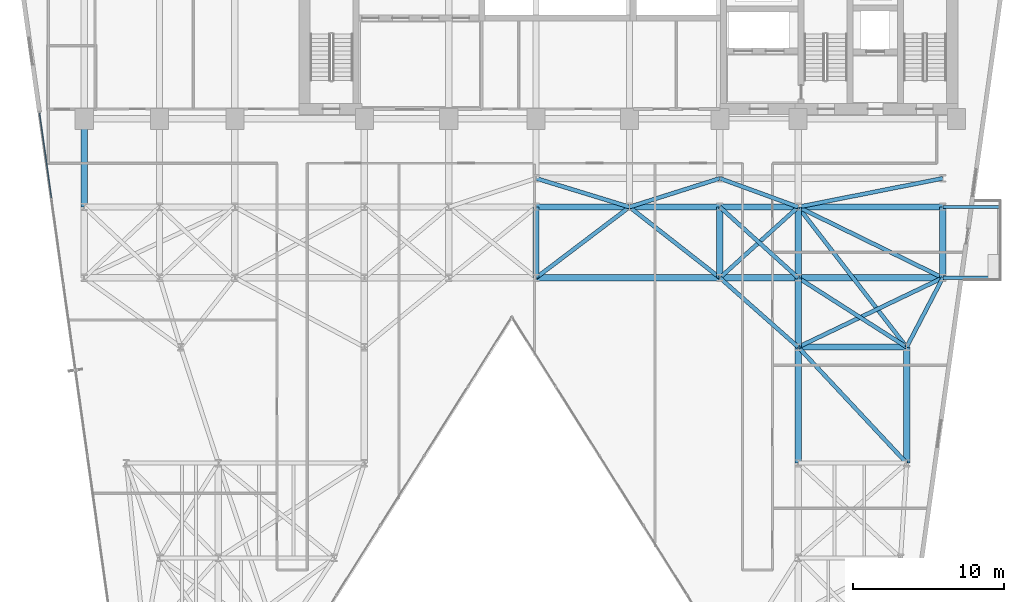
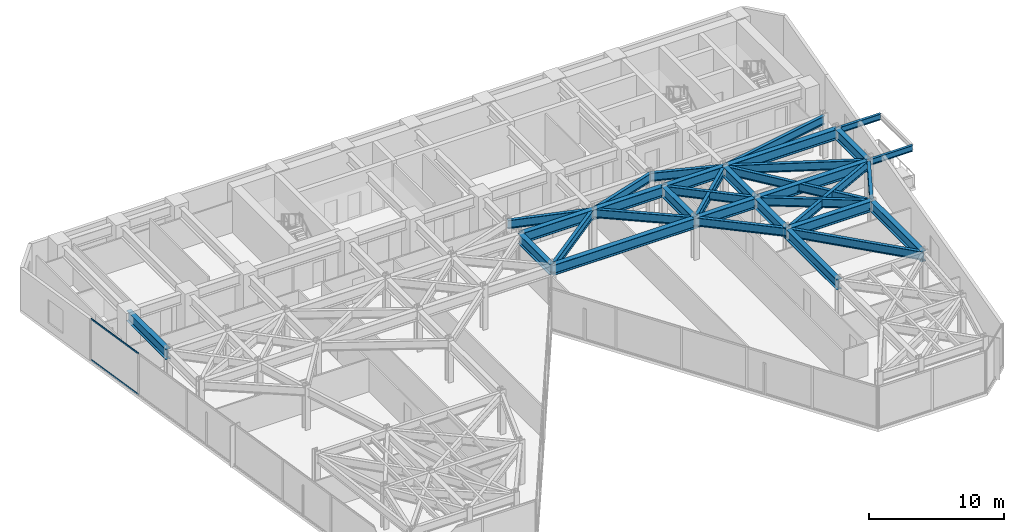
# One storey, part 16 of 25: 33 beams, 2 members, 1 element without a shape of its own.
"""IFC4 building model written with IfcOpenShell, lengths in metres."""

from ifc_helpers import new_model, si_unit, direction, frame, origin, origin_2d, place, context, subcontext, project, spatial, hollow_rectangle, i_section, extrude, material, layer, layer_set, material_profile, profile_set, type_object, element, aggregate, save


model = new_model("IFC4")

# Units and contexts
model_context = context("Model", 3, precision=1e-05, world=origin(), true_north=direction((0.0, 1.0)))
body_context = subcontext(model_context, "Body", "Model", "MODEL_VIEW")
ifc_project = project(units=[si_unit("LENGTHUNIT", "METRE"), si_unit("AREAUNIT", "SQUARE_METRE"), si_unit("VOLUMEUNIT", "CUBIC_METRE"), si_unit("PLANEANGLEUNIT", "RADIAN"), si_unit("MASSUNIT", "GRAM", prefix="KILO")], contexts=[model_context])

# Site, building, storey
site_placement = place(None, origin())
site = spatial("IfcSite", under=ifc_project, at=site_placement, CompositionType="ELEMENT")
building_placement = place(site_placement, origin())
building = spatial("IfcBuilding", under=site, at=building_placement, Name="Kravanh Interchange Tower", CompositionType="ELEMENT")
storey_placement = place(building_placement, frame((0.0, 0.0, 73.5)))
storey = spatial("IfcBuildingStorey", under=building, at=storey_placement, Name="L17", CompositionType="ELEMENT", Elevation=73.5)

# Curtain wall, members
ifc_material_1 = material(Name="Anodised Bronze Aluminium", Category="aluminium")
ifc_layer = layer(ifc_material_1, 0.179931640625)
ifc_layer_set = layer_set([ifc_layer], Name="Unitised Curtain Wall System CW-Z1 Lower Office")
curtain_wall_type = type_object("IfcCurtainWallType", Name="Unitised Curtain Wall System CW-Z1 Lower Office", PredefinedType="NOTDEFINED", material=ifc_layer_set)
curtain_wall_placement = place(storey_placement, origin())
curtain_wall = element("IfcCurtainWall", 1, at=curtain_wall_placement, inside=storey, type_object=curtain_wall_type, Name="L17 Unitised Curtain Wall CW-L17-01", PredefinedType="NOTDEFINED")
ifc_material_2 = material(Name="Anodised Bronze Aluminium", Category="aluminium")
ifc_material_profile_1 = material_profile(ifc_material_2, hollow_rectangle(XDim=0.06005859375, YDim=0.139892578125, WallThickness=0.00390625, at=origin_2d()), Name="ALU60X140X4")
ifc_profile_set_1 = profile_set([ifc_material_profile_1], Name="Anodised Bronze Aluminium")
member_type = type_object("IfcMemberType", Name="Curtain Wall Transom ALU60X140X4 Bronze", PredefinedType="USERDEFINED", material=ifc_profile_set_1)
member_1_placement = place(storey_placement, frame((6.422607421875, 32.1240234375, 0.030029296875), z_axis=(-0.139193386559, 0.990265217575, 0.0), x_axis=(-0.990265217575, -0.139193386559, 0.0)))
member_1 = element("IfcMember", 2, at=member_1_placement, type_object=member_type, Name="CW-Z1 transom 6.1", ObjectType="TRANSOM", PredefinedType="USERDEFINED", context=body_context, shape_type="SweptSolid", body=[
    extrude(hollow_rectangle(XDim=0.06005859375, YDim=0.139892578125, WallThickness=0.00390625, at=origin_2d()), origin(), (0.0, 0.0, 1.0), 5.661865234375),
])
member_2_placement = place(storey_placement, frame((6.422607421875, 32.1240234375, 3.7099609375), z_axis=(-0.139193386559, 0.990265217575, 0.0), x_axis=(-0.990265217575, -0.139193386559, 0.0)))
member_2 = element("IfcMember", 3, at=member_2_placement, type_object=member_type, Name="CW-Z1 transom 6.2", ObjectType="TRANSOM", PredefinedType="USERDEFINED", context=body_context, shape_type="SweptSolid", body=[
    extrude(hollow_rectangle(XDim=0.06005859375, YDim=0.139892578125, WallThickness=0.00390625, at=origin_2d()), origin(), (0.0, 0.0, 1.0), 5.661865234375),
])
aggregate(curtain_wall, [member_1, member_2])

# Beams
ifc_material_3 = material(Name="Structural Steel S355", Category="steel")
ifc_material_profile_2 = material_profile(ifc_material_3, i_section(OverallWidth=0.41796875, OverallDepth=0.927001953125, WebThickness=0.019287109375, FlangeThickness=0.031982421875, FilletRadius=0.028076171875, at=origin_2d()), Name="W36X231")
ifc_profile_set_2 = profile_set([ifc_material_profile_2], Name="Structural Steel S355")
beam_type_1 = type_object("IfcBeamType", Name="Floor Beam W36X231 Structural Steel S355", PredefinedType="BEAM", material=ifc_profile_set_2)
beam_1_placement = place(storey_placement, frame((8.60009765625, 37.35009765625, 3.276611328125), z_axis=(0.0, -1.0, 0.0), x_axis=(1.0, 0.0, 0.0)))
element("IfcBeam", 4, at=beam_1_placement, inside=storey, type_object=beam_type_1, Name="L17 Primary Floor Girder 36", PredefinedType="BEAM", context=body_context, shape_type="SweptSolid", body=[
    extrude(i_section(OverallWidth=0.41796875, OverallDepth=0.927001953125, WebThickness=0.019287109375, FlangeThickness=0.031982421875, FilletRadius=0.028076171875, at=origin_2d()), origin(), (0.0, 0.0, 1.0), 5.85009765625),
])
for number, where, z_axis, x_axis, name in (
    (5, (56.0, 14.5, 3.276611328125), (0.0, 1.0, 0.0), (-1.0, 0.0, 0.0), "L17 Primary Floor Girder 44"),
    (6, (63.199951171875, 14.5, 3.276611328125), (0.0, 1.0, 0.0), (-1.0, 0.0, 0.0), "L17 Primary Floor Girder 47"),
):
    element("IfcBeam", number, at=place(storey_placement, frame(where, z_axis=z_axis, x_axis=x_axis)), inside=storey, type_object=beam_type_1, Name=name, PredefinedType="BEAM", context=body_context, shape_type="SweptSolid", body=[
        extrude(i_section(OverallWidth=0.41796875, OverallDepth=0.927001953125, WebThickness=0.019287109375, FlangeThickness=0.031982421875, FilletRadius=0.028076171875, at=origin_2d()), origin(), (0.0, 0.0, 1.0), 7.699951171875),
    ])
beam_2_placement = place(storey_placement, frame((56.0, 22.199951171875, 3.276611328125), z_axis=(0.0, 1.0, 0.0), x_axis=(-1.0, 0.0, 0.0)))
element("IfcBeam", 7, at=beam_2_placement, inside=storey, type_object=beam_type_1, Name="L17 Primary Floor Girder 58", PredefinedType="BEAM", context=body_context, shape_type="SweptSolid", body=[
    extrude(i_section(OverallWidth=0.41796875, OverallDepth=0.927001953125, WebThickness=0.019287109375, FlangeThickness=0.031982421875, FilletRadius=0.028076171875, at=origin_2d()), origin(), (0.0, 0.0, 1.0), 4.60009765625),
])
beam_3_placement = place(storey_placement, frame((56.0, 22.199951171875, 3.276611328125), z_axis=(1.0, 0.0, 0.0), x_axis=(0.0, 1.0, 0.0)))
element("IfcBeam", 8, at=beam_3_placement, inside=storey, type_object=beam_type_1, Name="L17 Primary Floor Girder 60", PredefinedType="BEAM", context=body_context, shape_type="SweptSolid", body=[
    extrude(i_section(OverallWidth=0.41796875, OverallDepth=0.927001953125, WebThickness=0.019287109375, FlangeThickness=0.031982421875, FilletRadius=0.028076171875, at=origin_2d()), origin(), (0.0, 0.0, 1.0), 7.199951171875),
])
beam_4_placement = place(storey_placement, frame((38.60009765625, 26.800048828125, 3.276611328125), z_axis=(0.0, 1.0, 0.0), x_axis=(-1.0, 0.0, 0.0)))
element("IfcBeam", 9, at=beam_4_placement, inside=storey, type_object=beam_type_1, Name="L17 Primary Floor Girder 86", PredefinedType="BEAM", context=body_context, shape_type="SweptSolid", body=[
    extrude(i_section(OverallWidth=0.41796875, OverallDepth=0.927001953125, WebThickness=0.019287109375, FlangeThickness=0.031982421875, FilletRadius=0.028076171875, at=origin_2d()), origin(), (0.0, 0.0, 1.0), 4.699951171875),
])
beam_5_placement = place(storey_placement, frame((38.60009765625, 26.800048828125, 3.276611328125), z_axis=(1.0, 0.0, 0.0), x_axis=(0.0, 1.0, 0.0)))
element("IfcBeam", 10, at=beam_5_placement, inside=storey, type_object=beam_type_1, Name="L17 Primary Floor Girder 89", PredefinedType="BEAM", context=body_context, shape_type="SweptSolid", body=[
    extrude(i_section(OverallWidth=0.41796875, OverallDepth=0.927001953125, WebThickness=0.019287109375, FlangeThickness=0.031982421875, FilletRadius=0.028076171875, at=origin_2d()), origin(), (0.0, 0.0, 1.0), 12.199951171875),
])
beam_6_placement = place(storey_placement, frame((50.800048828125, 26.800048828125, 3.276611328125), z_axis=(0.0, 1.0, 0.0), x_axis=(-1.0, 0.0, 0.0)))
element("IfcBeam", 11, at=beam_6_placement, inside=storey, type_object=beam_type_1, Name="L17 Primary Floor Girder 90", PredefinedType="BEAM", context=body_context, shape_type="SweptSolid", body=[
    extrude(i_section(OverallWidth=0.41796875, OverallDepth=0.927001953125, WebThickness=0.019287109375, FlangeThickness=0.031982421875, FilletRadius=0.028076171875, at=origin_2d()), origin(), (0.0, 0.0, 1.0), 4.699951171875),
])
beam_7_placement = place(storey_placement, frame((50.800048828125, 26.800048828125, 3.276611328125), z_axis=(1.0, 0.0, 0.0), x_axis=(0.0, 1.0, 0.0)))
element("IfcBeam", 12, at=beam_7_placement, inside=storey, type_object=beam_type_1, Name="L17 Primary Floor Girder 91", PredefinedType="BEAM", context=body_context, shape_type="SweptSolid", body=[
    extrude(i_section(OverallWidth=0.41796875, OverallDepth=0.927001953125, WebThickness=0.019287109375, FlangeThickness=0.031982421875, FilletRadius=0.028076171875, at=origin_2d()), origin(), (0.0, 0.0, 1.0), 5.199951171875),
])
beam_8_placement = place(storey_placement, frame((56.0, 26.800048828125, 3.276611328125), z_axis=(0.0, 1.0, 0.0), x_axis=(-1.0, 0.0, 0.0)))
element("IfcBeam", 13, at=beam_8_placement, inside=storey, type_object=beam_type_1, Name="L17 Primary Floor Girder 94", PredefinedType="BEAM", context=body_context, shape_type="SweptSolid", body=[
    extrude(i_section(OverallWidth=0.41796875, OverallDepth=0.927001953125, WebThickness=0.019287109375, FlangeThickness=0.031982421875, FilletRadius=0.028076171875, at=origin_2d()), origin(), (0.0, 0.0, 1.0), 4.699951171875),
])
beam_9_placement = place(storey_placement, frame((56.0, 26.800048828125, 3.276611328125), z_axis=(1.0, 0.0, 0.0), x_axis=(0.0, 1.0, 0.0)))
element("IfcBeam", 14, at=beam_9_placement, inside=storey, type_object=beam_type_1, Name="L17 Primary Floor Girder 97", PredefinedType="BEAM", context=body_context, shape_type="SweptSolid", body=[
    extrude(i_section(OverallWidth=0.41796875, OverallDepth=0.927001953125, WebThickness=0.019287109375, FlangeThickness=0.031982421875, FilletRadius=0.028076171875, at=origin_2d()), origin(), (0.0, 0.0, 1.0), 9.60009765625),
])
beam_10_placement = place(storey_placement, frame((65.60009765625, 26.800048828125, 3.276611328125), z_axis=(0.0, 1.0, 0.0), x_axis=(-1.0, 0.0, 0.0)))
element("IfcBeam", 15, at=beam_10_placement, inside=storey, type_object=beam_type_1, Name="L17 Primary Floor Girder 98", PredefinedType="BEAM", context=body_context, shape_type="SweptSolid", body=[
    extrude(i_section(OverallWidth=0.41796875, OverallDepth=0.927001953125, WebThickness=0.019287109375, FlangeThickness=0.031982421875, FilletRadius=0.028076171875, at=origin_2d()), origin(), (0.0, 0.0, 1.0), 4.699951171875),
])
beam_11_placement = place(storey_placement, frame((38.60009765625, 31.5, 3.276611328125), z_axis=(1.0, 0.0, 0.0), x_axis=(0.0, 1.0, 0.0)))
element("IfcBeam", 16, at=beam_11_placement, inside=storey, type_object=beam_type_1, Name="L17 Primary Floor Girder 111", PredefinedType="BEAM", context=body_context, shape_type="SweptSolid", body=[
    extrude(i_section(OverallWidth=0.41796875, OverallDepth=0.927001953125, WebThickness=0.019287109375, FlangeThickness=0.031982421875, FilletRadius=0.028076171875, at=origin_2d()), origin(), (0.0, 0.0, 1.0), 6.199951171875),
])
beam_12_placement = place(storey_placement, frame((44.800048828125, 31.5, 3.276611328125), z_axis=(1.0, 0.0, 0.0), x_axis=(0.0, 1.0, 0.0)))
element("IfcBeam", 17, at=beam_12_placement, inside=storey, type_object=beam_type_1, Name="L17 Primary Floor Girder 113", PredefinedType="BEAM", context=body_context, shape_type="SweptSolid", body=[
    extrude(i_section(OverallWidth=0.41796875, OverallDepth=0.927001953125, WebThickness=0.019287109375, FlangeThickness=0.031982421875, FilletRadius=0.028076171875, at=origin_2d()), origin(), (0.0, 0.0, 1.0), 6.0),
])
beam_13_placement = place(storey_placement, frame((50.800048828125, 31.5, 3.276611328125), z_axis=(1.0, 0.0, 0.0), x_axis=(0.0, 1.0, 0.0)))
element("IfcBeam", 18, at=beam_13_placement, inside=storey, type_object=beam_type_1, Name="L17 Primary Floor Girder 116", PredefinedType="BEAM", context=body_context, shape_type="SweptSolid", body=[
    extrude(i_section(OverallWidth=0.41796875, OverallDepth=0.927001953125, WebThickness=0.019287109375, FlangeThickness=0.031982421875, FilletRadius=0.028076171875, at=origin_2d()), origin(), (0.0, 0.0, 1.0), 5.199951171875),
])
beam_14_placement = place(storey_placement, frame((56.0, 31.5, 3.276611328125), z_axis=(1.0, 0.0, 0.0), x_axis=(0.0, 1.0, 0.0)))
element("IfcBeam", 19, at=beam_14_placement, inside=storey, type_object=beam_type_1, Name="L17 Primary Floor Girder 119", PredefinedType="BEAM", context=body_context, shape_type="SweptSolid", body=[
    extrude(i_section(OverallWidth=0.41796875, OverallDepth=0.927001953125, WebThickness=0.019287109375, FlangeThickness=0.031982421875, FilletRadius=0.028076171875, at=origin_2d()), origin(), (0.0, 0.0, 1.0), 9.60009765625),
])
ifc_material_4 = material(Name="Structural Steel S355", Category="steel")
ifc_material_profile_3 = material_profile(ifc_material_4, i_section(OverallWidth=0.2099609375, OverallDepth=0.537109375, WebThickness=0.010986328125, FlangeThickness=0.017333984375, FilletRadius=0.02001953125, at=origin_2d()), Name="W21X68")
ifc_profile_set_3 = profile_set([ifc_material_profile_3], Name="Structural Steel S355")
beam_type_2 = type_object("IfcBeamType", Name="Floor Spandrel W21X68 Structural Steel S355", PredefinedType="SPANDREL", material=ifc_profile_set_3)
for number, where, z_axis, x_axis, name in (
    (20, (65.60009765625, 26.800048828125, 3.471435546875), (1.0, 0.0, 0.0), (0.0, 1.0, 0.0), "L17 Balcony Cantilever Outrigger E1"),
    (21, (65.60009765625, 31.5, 3.471435546875), (1.0, 0.0, 0.0), (0.0, 1.0, 0.0), "L17 Balcony Cantilever Outrigger E2"),
):
    element("IfcBeam", number, at=place(storey_placement, frame(where, z_axis=z_axis, x_axis=x_axis)), inside=storey, type_object=beam_type_2, Name=name, PredefinedType="SPANDREL", context=body_context, shape_type="SweptSolid", body=[
        extrude(i_section(OverallWidth=0.2099609375, OverallDepth=0.537109375, WebThickness=0.010986328125, FlangeThickness=0.017333984375, FilletRadius=0.02001953125, at=origin_2d()), origin(), (0.0, 0.0, 1.0), 3.72998046875),
    ])
ifc_material_5 = material(Name="Structural Steel S355", Category="steel")
ifc_material_profile_4 = material_profile(ifc_material_5, i_section(OverallWidth=0.26708984375, OverallDepth=0.761962890625, WebThickness=0.014404296875, FlangeThickness=0.021484375, FilletRadius=0.02490234375, at=origin_2d()), Name="W30X116")
ifc_profile_set_4 = profile_set([ifc_material_profile_4], Name="Structural Steel S355")
beam_type_3 = type_object("IfcBeamType", Name="Floor Spandrel W30X116 Structural Steel S355", PredefinedType="SPANDREL", material=ifc_profile_set_4)
beam_15_placement = place(storey_placement, frame((63.199951171875, 14.5, 3.35888671875), z_axis=(-0.682993762113, 0.73042420614, 0.0), x_axis=(-0.73042420614, -0.682993762113, 0.0)))
element("IfcBeam", 22, at=beam_15_placement, inside=storey, type_object=beam_type_3, Name="L17 Perimeter Spandrel 49", PredefinedType="SPANDREL", context=body_context, shape_type="SweptSolid", body=[
    extrude(i_section(OverallWidth=0.26708984375, OverallDepth=0.761962890625, WebThickness=0.014404296875, FlangeThickness=0.021484375, FilletRadius=0.02490234375, at=origin_2d()), origin(), (0.0, 0.0, 1.0), 10.541748046875),
])
beam_16_placement = place(storey_placement, frame((56.0, 22.199951171875, 3.35888671875), z_axis=(-0.74898649432, 0.662585263439, 0.0), x_axis=(-0.662585263439, -0.74898649432, 0.0)))
element("IfcBeam", 23, at=beam_16_placement, inside=storey, type_object=beam_type_3, Name="L17 Perimeter Spandrel 59", PredefinedType="SPANDREL", context=body_context, shape_type="SweptSolid", body=[
    extrude(i_section(OverallWidth=0.26708984375, OverallDepth=0.761962890625, WebThickness=0.014404296875, FlangeThickness=0.021484375, FilletRadius=0.02490234375, at=origin_2d()), origin(), (0.0, 0.0, 1.0), 6.942626953125),
])
beam_17_placement = place(storey_placement, frame((56.0, 22.199951171875, 3.35888671875), z_axis=(0.901814166789, 0.432124066188, 0.0), x_axis=(-0.432124066188, 0.901814166789, 0.0)))
element("IfcBeam", 24, at=beam_17_placement, inside=storey, type_object=beam_type_3, Name="L17 Perimeter Spandrel 61", PredefinedType="SPANDREL", context=body_context, shape_type="SweptSolid", body=[
    extrude(i_section(OverallWidth=0.26708984375, OverallDepth=0.761962890625, WebThickness=0.014404296875, FlangeThickness=0.021484375, FilletRadius=0.02490234375, at=origin_2d()), origin(), (0.0, 0.0, 1.0), 10.645263671875),
])
beam_18_placement = place(storey_placement, frame((63.199951171875, 22.199951171875, 3.35888671875), z_axis=(0.462580479178, 0.886577295155, 0.0), x_axis=(-0.886577295155, 0.462580479178, 0.0)))
element("IfcBeam", 25, at=beam_18_placement, inside=storey, type_object=beam_type_3, Name="L17 Perimeter Spandrel 62", PredefinedType="SPANDREL", context=body_context, shape_type="SweptSolid", body=[
    extrude(i_section(OverallWidth=0.26708984375, OverallDepth=0.761962890625, WebThickness=0.014404296875, FlangeThickness=0.021484375, FilletRadius=0.02490234375, at=origin_2d()), origin(), (0.0, 0.0, 1.0), 5.188720703125),
])
beam_19_placement = place(storey_placement, frame((63.199951171875, 22.199951171875, 3.35888671875), z_axis=(-0.842689417531, 0.53839998661, 0.0), x_axis=(-0.53839998661, -0.842689417531, 0.0)))
element("IfcBeam", 26, at=beam_19_placement, inside=storey, type_object=beam_type_3, Name="L17 Perimeter Spandrel 63", PredefinedType="SPANDREL", context=body_context, shape_type="SweptSolid", body=[
    extrude(i_section(OverallWidth=0.26708984375, OverallDepth=0.761962890625, WebThickness=0.014404296875, FlangeThickness=0.021484375, FilletRadius=0.02490234375, at=origin_2d()), origin(), (0.0, 0.0, 1.0), 8.5439453125),
])
beam_20_placement = place(storey_placement, frame((63.199951171875, 22.199951171875, 3.35888671875), z_axis=(-0.612168587637, 0.790727273028, 0.0), x_axis=(-0.790727273028, -0.612168587637, 0.0)))
element("IfcBeam", 27, at=beam_20_placement, inside=storey, type_object=beam_type_3, Name="L17 Perimeter Spandrel 65", PredefinedType="SPANDREL", context=body_context, shape_type="SweptSolid", body=[
    extrude(i_section(OverallWidth=0.26708984375, OverallDepth=0.761962890625, WebThickness=0.014404296875, FlangeThickness=0.021484375, FilletRadius=0.02490234375, at=origin_2d()), origin(), (0.0, 0.0, 1.0), 11.761474609375),
])
beam_21_placement = place(storey_placement, frame((38.60009765625, 26.800048828125, 3.35888671875), z_axis=(0.796905365509, 0.604104161898, 0.0), x_axis=(-0.604104161898, 0.796905365509, 0.0)))
element("IfcBeam", 28, at=beam_21_placement, inside=storey, type_object=beam_type_3, Name="L17 Perimeter Spandrel 88", PredefinedType="SPANDREL", context=body_context, shape_type="SweptSolid", body=[
    extrude(i_section(OverallWidth=0.26708984375, OverallDepth=0.761962890625, WebThickness=0.014404296875, FlangeThickness=0.021484375, FilletRadius=0.02490234375, at=origin_2d()), origin(), (0.0, 0.0, 1.0), 7.780029296875),
])
beam_22_placement = place(storey_placement, frame((50.800048828125, 26.800048828125, 3.35888671875), z_axis=(0.741874009795, 0.670539300557, 0.0), x_axis=(-0.670539300557, 0.741874009795, 0.0)))
element("IfcBeam", 29, at=beam_22_placement, inside=storey, type_object=beam_type_3, Name="L17 Perimeter Spandrel 92", PredefinedType="SPANDREL", context=body_context, shape_type="SweptSolid", body=[
    extrude(i_section(OverallWidth=0.26708984375, OverallDepth=0.761962890625, WebThickness=0.014404296875, FlangeThickness=0.021484375, FilletRadius=0.02490234375, at=origin_2d()), origin(), (0.0, 0.0, 1.0), 7.00927734375),
])
beam_23_placement = place(storey_placement, frame((50.800048828125, 26.800048828125, 3.35888671875), z_axis=(-0.787231163579, 0.616658004967, 0.0), x_axis=(-0.616658004967, -0.787231163579, 0.0)))
element("IfcBeam", 30, at=beam_23_placement, inside=storey, type_object=beam_type_3, Name="L17 Perimeter Spandrel 93", PredefinedType="SPANDREL", context=body_context, shape_type="SweptSolid", body=[
    extrude(i_section(OverallWidth=0.26708984375, OverallDepth=0.761962890625, WebThickness=0.014404296875, FlangeThickness=0.021484375, FilletRadius=0.02490234375, at=origin_2d()), origin(), (0.0, 0.0, 1.0), 7.62158203125),
])
beam_24_placement = place(storey_placement, frame((56.0, 26.800048828125, 3.35888671875), z_axis=(-0.741874009795, 0.670539300557, 0.0), x_axis=(-0.670539300557, -0.741874009795, 0.0)))
element("IfcBeam", 31, at=beam_24_placement, inside=storey, type_object=beam_type_3, Name="L17 Perimeter Spandrel 95", PredefinedType="SPANDREL", context=body_context, shape_type="SweptSolid", body=[
    extrude(i_section(OverallWidth=0.26708984375, OverallDepth=0.761962890625, WebThickness=0.014404296875, FlangeThickness=0.021484375, FilletRadius=0.02490234375, at=origin_2d()), origin(), (0.0, 0.0, 1.0), 7.00927734375),
])
beam_25_placement = place(storey_placement, frame((65.60009765625, 26.800048828125, 3.35888671875), z_axis=(-0.898141688387, 0.439706160499, 0.0), x_axis=(-0.439706160499, -0.898141688387, 0.0)))
element("IfcBeam", 32, at=beam_25_placement, inside=storey, type_object=beam_type_3, Name="L17 Perimeter Spandrel 99", PredefinedType="SPANDREL", context=body_context, shape_type="SweptSolid", body=[
    extrude(i_section(OverallWidth=0.26708984375, OverallDepth=0.761962890625, WebThickness=0.014404296875, FlangeThickness=0.021484375, FilletRadius=0.02490234375, at=origin_2d()), origin(), (0.0, 0.0, 1.0), 10.68896484375),
])
beam_26_placement = place(storey_placement, frame((44.800048828125, 31.5, 3.35888671875), z_axis=(0.953346691051, 0.301877602122, 0.0), x_axis=(-0.301877602122, 0.953346691051, 0.0)))
element("IfcBeam", 33, at=beam_26_placement, inside=storey, type_object=beam_type_3, Name="L17 Perimeter Spandrel 114", PredefinedType="SPANDREL", context=body_context, shape_type="SweptSolid", body=[
    extrude(i_section(OverallWidth=0.26708984375, OverallDepth=0.761962890625, WebThickness=0.014404296875, FlangeThickness=0.021484375, FilletRadius=0.02490234375, at=origin_2d()), origin(), (0.0, 0.0, 1.0), 6.293701171875),
])
beam_27_placement = place(storey_placement, frame((44.800048828125, 31.5, 3.35888671875), z_axis=(-0.956115397264, 0.292990353279, 0.0), x_axis=(-0.292990353279, -0.956115397264, 0.0)))
element("IfcBeam", 34, at=beam_27_placement, inside=storey, type_object=beam_type_3, Name="L17 Perimeter Spandrel 115", PredefinedType="SPANDREL", context=body_context, shape_type="SweptSolid", body=[
    extrude(i_section(OverallWidth=0.26708984375, OverallDepth=0.761962890625, WebThickness=0.014404296875, FlangeThickness=0.021484375, FilletRadius=0.02490234375, at=origin_2d()), origin(), (0.0, 0.0, 1.0), 6.484619140625),
])
beam_28_placement = place(storey_placement, frame((56.0, 31.5, 3.35888671875), z_axis=(-0.93926957103, 0.343180233896, 0.0), x_axis=(-0.343180233896, -0.93926957103, 0.0)))
element("IfcBeam", 35, at=beam_28_placement, inside=storey, type_object=beam_type_3, Name="L17 Perimeter Spandrel 118", PredefinedType="SPANDREL", context=body_context, shape_type="SweptSolid", body=[
    extrude(i_section(OverallWidth=0.26708984375, OverallDepth=0.761962890625, WebThickness=0.014404296875, FlangeThickness=0.021484375, FilletRadius=0.02490234375, at=origin_2d()), origin(), (0.0, 0.0, 1.0), 5.5361328125),
])
beam_29_placement = place(storey_placement, frame((56.0, 31.5, 3.35888671875), z_axis=(0.980974000807, 0.194139150457, 0.0), x_axis=(-0.194139150457, 0.980974000807, 0.0)))
element("IfcBeam", 36, at=beam_29_placement, inside=storey, type_object=beam_type_3, Name="L17 Perimeter Spandrel 120", PredefinedType="SPANDREL", context=body_context, shape_type="SweptSolid", body=[
    extrude(i_section(OverallWidth=0.26708984375, OverallDepth=0.761962890625, WebThickness=0.014404296875, FlangeThickness=0.021484375, FilletRadius=0.02490234375, at=origin_2d()), origin(), (0.0, 0.0, 1.0), 9.786376953125),
])

save(model, "model.ifc")
